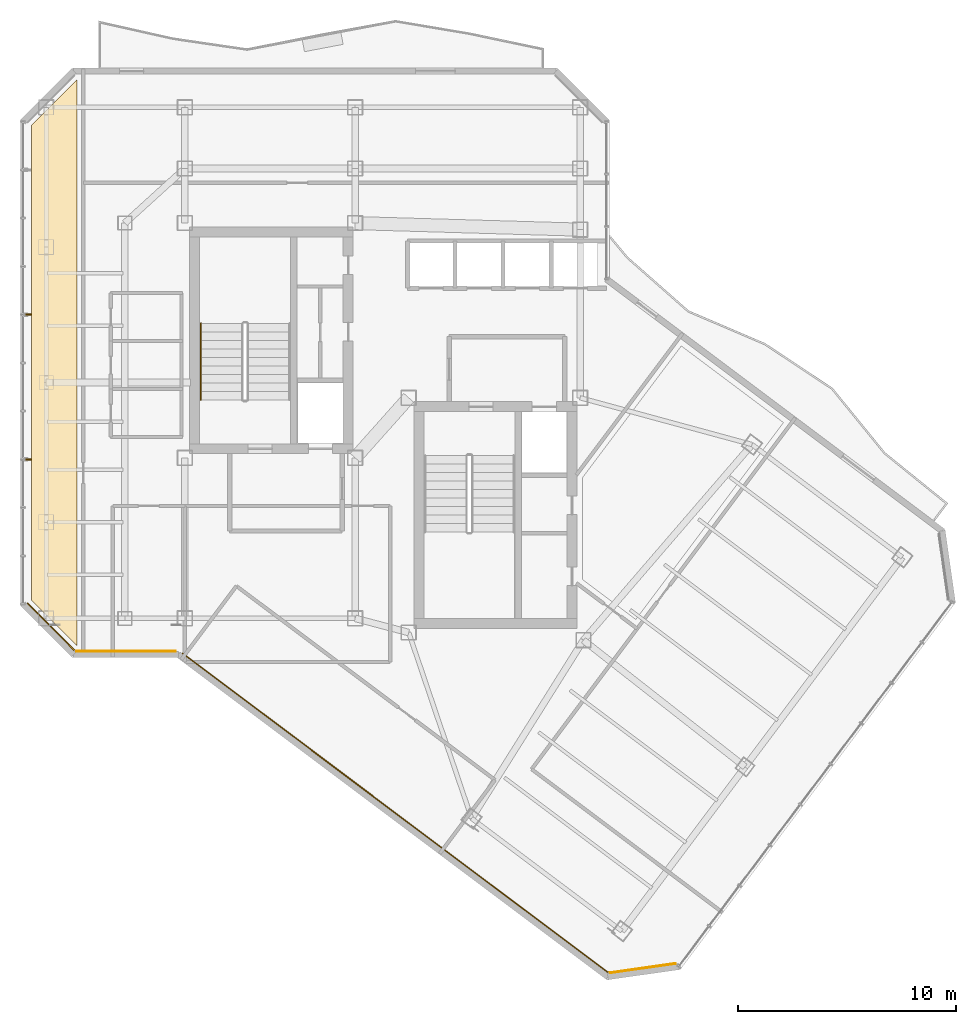
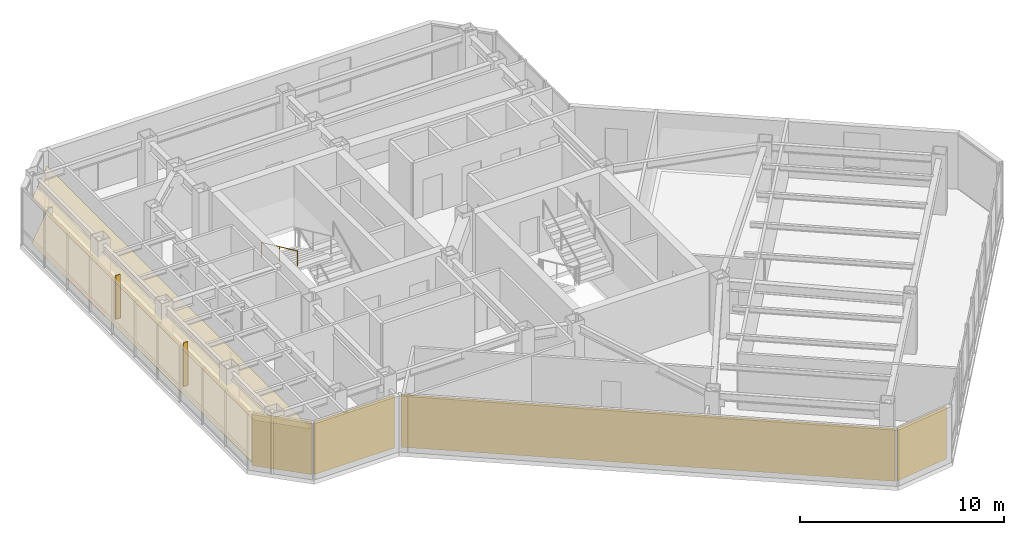
# One storey, part 22 of 25: 6 coverings, 2 shading devices, 1 railing.
"""IFC4 building model written with IfcOpenShell, lengths in metres."""

from ifc_helpers import new_model, si_unit, direction, frame, origin, origin_2d, place, context, subcontext, project, spatial, polyline, rectangle, circle, outline, extrude, material, layer, layer_set, type_object, element, save


model = new_model("IFC4")

# Units and contexts
model_context = context("Model", 3, precision=1e-05, world=origin(), true_north=direction((0.0, 1.0)))
body_context = subcontext(model_context, "Body", "Model", "MODEL_VIEW")
ifc_project = project(units=[si_unit("LENGTHUNIT", "METRE"), si_unit("AREAUNIT", "SQUARE_METRE"), si_unit("VOLUMEUNIT", "CUBIC_METRE"), si_unit("PLANEANGLEUNIT", "RADIAN"), si_unit("MASSUNIT", "GRAM", prefix="KILO")], contexts=[model_context])

# Site, building, storey
site_placement = place(None, origin())
site = spatial("IfcSite", under=ifc_project, at=site_placement, CompositionType="ELEMENT")
building_placement = place(site_placement, origin())
building = spatial("IfcBuilding", under=site, at=building_placement, Name="Hatsunagi Terrace Concourse", CompositionType="ELEMENT")
storey_placement = place(building_placement, frame((0.0, 0.0, 220.35009765625)))
storey = spatial("IfcBuildingStorey", under=building, at=storey_placement, Name="L58", CompositionType="ELEMENT", Elevation=220.35009765625)

# Coverings
ifc_material_1 = material(Name="Acoustic mineral board", Category="gypsum")
ifc_layer_1 = layer(ifc_material_1, 0.02001953125)
ifc_layer_set_1 = layer_set([ifc_layer_1], Name="AcousticMineralCeiling_20")
covering_type_1 = type_object("IfcCoveringType", Name="AcousticMineralCeiling_20", PredefinedType="CEILING", material=ifc_layer_set_1)
covering_1_placement = place(storey_placement, frame((0.0, 0.0, 2.6298828125)))
element("IfcCovering", 1, at=covering_1_placement, inside=storey, type_object=covering_type_1, Name="Suspended Ceiling L58-2", PredefinedType="CEILING", context=body_context, shape_type="SweptSolid", body=[
    extrude(outline(polyline([(18.530029296875, 26.02001953125), (20.60009765625, 23.949951171875), (20.60009765625, 49.85009765625), (18.530029296875, 47.780029296875), (18.530029296875, 26.02001953125)])), origin(), (0.0, 0.0, 1.0), 0.02001953125),
])
ifc_material_2 = material(Name="Hardwood timber", Category="wood")
ifc_layer_2 = layer(ifc_material_2, 0.014892578125)
ifc_layer_set_2 = layer_set([ifc_layer_2], Name="HardwoodTimberFlooring_15")
covering_type_2 = type_object("IfcCoveringType", Name="HardwoodTimberFlooring_15", PredefinedType="FLOORING", material=ifc_layer_set_2)
covering_2_placement = place(storey_placement, origin())
element("IfcCovering", 2, at=covering_2_placement, inside=storey, type_object=covering_type_2, Name="Finished Flooring L58-2", PredefinedType="FLOORING", context=body_context, shape_type="SweptSolid", body=[
    extrude(outline(polyline([(18.530029296875, 26.02001953125), (20.60009765625, 23.949951171875), (20.60009765625, 49.85009765625), (18.530029296875, 47.780029296875), (18.530029296875, 26.02001953125)])), origin(), (0.0, 0.0, 1.0), 0.014892578125),
])

# Railing
ifc_material_3 = material(Name="Stainless steel", Category="steel")
ifc_layer_3 = layer(ifc_material_3, 0.044921875)
ifc_layer_set_3 = layer_set([ifc_layer_3], Name="StairPitchHandrail_Tower2000")
railing_type = type_object("IfcRailingType", Name="StairPitchHandrail_Tower2000", PredefinedType="HANDRAIL", material=ifc_layer_set_3)
railing_placement = place(storey_placement, frame((26.280029296875, 38.7099609375, 1.97998046875)))
element("IfcRailing", 3, at=railing_placement, inside=storey, type_object=railing_type, Name="L58 ST-A stair handrail 2", PredefinedType="HANDRAIL", context=body_context, shape_type="SweptSolid", body=[
    extrude(circle(Radius=0.02392578125, at=origin_2d()), frame((0.0, 0.0, 0.8759765625), z_axis=(0.0, -0.907972323039, 0.419030142823), x_axis=(1.0, 0.0, 0.0)), (0.0, 0.0, 1.0), 3.86572265625),
    extrude(circle(Radius=0.02099609375, at=origin_2d()), origin(), (0.0, 0.0, 1.0), 0.851806640625),
    extrude(circle(Radius=0.02099609375, at=origin_2d()), frame((0.0, -1.7548828125, 0.81005859375)), (0.0, 0.0, 1.0), 0.851806640625),
    extrude(circle(Radius=0.02099609375, at=origin_2d()), frame((0.0, -3.510009765625, 1.619873046875)), (0.0, 0.0, 1.0), 0.851806640625),
])

# Shading devices
ifc_material_4 = material(Name="Extruded Unglazed Terracotta Baguette", Category="masonry")
shading_device_type = type_object("IfcShadingDeviceType", Name="TerracottaFinScreen_260x70", PredefinedType="USERDEFINED", material=ifc_material_4)
for number, where, z_axis, x_axis, name in (
    (4, (18.389892578125, 32.48291015625, 0.849853515625), (0.0, 0.0, 1.0), (0.0, 1.0, 0.0), "Terracotta Baguette Fin Screen SCR-01"),
    (5, (18.389892578125, 39.10791015625, 0.849853515625), (0.0, 0.0, 1.0), (0.0, 1.0, 0.0), "Terracotta Baguette Fin Screen SCR-01"),
):
    element("IfcShadingDevice", number, at=place(storey_placement, frame(where, z_axis=z_axis, x_axis=x_axis)), inside=storey, type_object=shading_device_type, Name=name, ObjectType="SUNSHADE", PredefinedType="USERDEFINED", context=body_context, shape_type="SweptSolid", body=[
        extrude(rectangle(XDim=0.070068359375, YDim=0.260009765625, at=origin_2d()), origin(), (0.0, 0.0, 1.0), 2.60009765625),
    ])

# Coverings
ifc_material_5 = material(Name="Unglazed Warm Terracotta Rainscreen Tile", Category="masonry")
ifc_layer_4 = layer(ifc_material_5, 0.044921875)
ifc_layer_set_4 = layer_set([ifc_layer_4], Name="TerracottaRainscreenCladding_45")
covering_type_3 = type_object("IfcCoveringType", Name="TerracottaRainscreenCladding_45", PredefinedType="CLADDING", material=ifc_layer_set_4)
covering_3_placement = place(storey_placement, frame((46.51806640625, 9.178955078125, 0.099853515625), z_axis=(0.0, 0.0, 1.0), x_axis=(-0.989973920543, -0.141250262458, 0.0)))
element("IfcCovering", 6, at=covering_3_placement, inside=storey, type_object=covering_type_3, Name="Terracotta Rainscreen Cladding L58-04", PredefinedType="CLADDING", context=body_context, shape_type="SweptSolid", body=[
    extrude(rectangle(XDim=3.0380859375, YDim=0.044921875, at=origin_2d()), origin(), (0.0, 0.0, 1.0), 3.14990234375),
])
covering_4_placement = place(storey_placement, frame((35.179931640625, 16.29296875, 0.099853515625), z_axis=(0.0, 0.0, 1.0), x_axis=(-0.800005211305, 0.599993051531, 0.0)))
element("IfcCovering", 7, at=covering_4_placement, inside=storey, type_object=covering_type_3, Name="Terracotta Rainscreen Cladding L58-05", PredefinedType="CLADDING", context=body_context, shape_type="SweptSolid", body=[
    extrude(rectangle(XDim=24.34912109375, YDim=0.044921875, at=origin_2d()), origin(), (0.0, 0.0, 1.0), 3.14990234375),
])
covering_5_placement = place(storey_placement, frame((22.85205078125, 23.701904296875, 0.099853515625), z_axis=(0.0, 0.0, 1.0), x_axis=(-1.0, 0.0, 0.0)))
element("IfcCovering", 8, at=covering_5_placement, inside=storey, type_object=covering_type_3, Name="Terracotta Rainscreen Cladding L58-06", PredefinedType="CLADDING", context=body_context, shape_type="SweptSolid", body=[
    extrude(rectangle(XDim=4.549072265625, YDim=0.044921875, at=origin_2d()), origin(), (0.0, 0.0, 1.0), 3.14990234375),
])
covering_6_placement = place(storey_placement, frame((19.4140625, 24.81396484375, 0.099853515625), z_axis=(0.0, 0.0, 1.0), x_axis=(-0.707106781187, 0.707106781187, 0.0)))
element("IfcCovering", 9, at=covering_6_placement, inside=storey, type_object=covering_type_3, Name="Terracotta Rainscreen Cladding L58-07", PredefinedType="CLADDING", context=body_context, shape_type="SweptSolid", body=[
    extrude(rectangle(XDim=3.0380859375, YDim=0.044921875, at=origin_2d()), origin(), (0.0, 0.0, 1.0), 3.14990234375),
])

save(model, "model.ifc")
